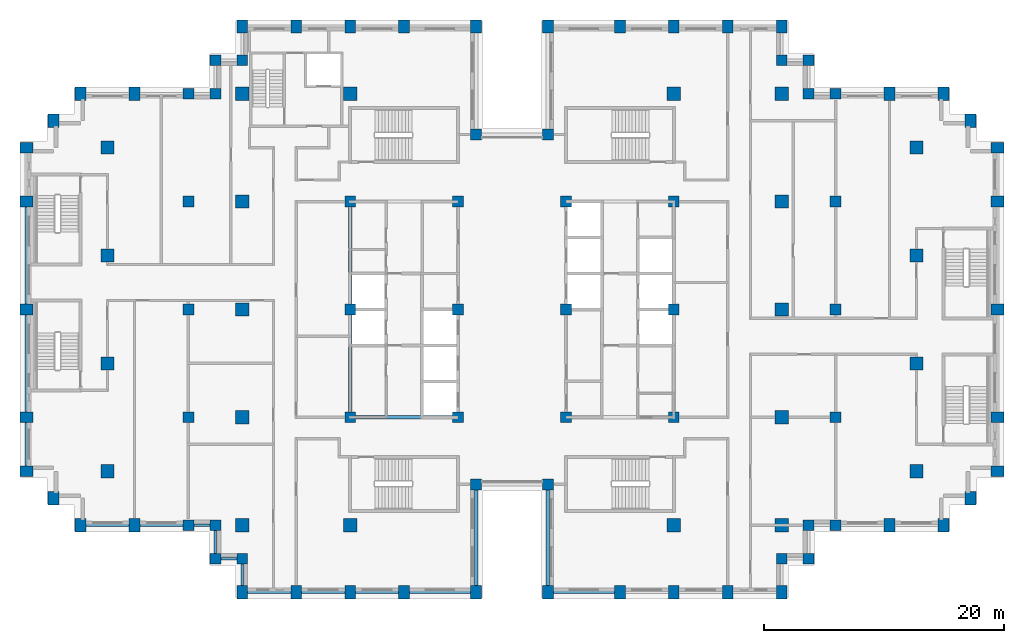
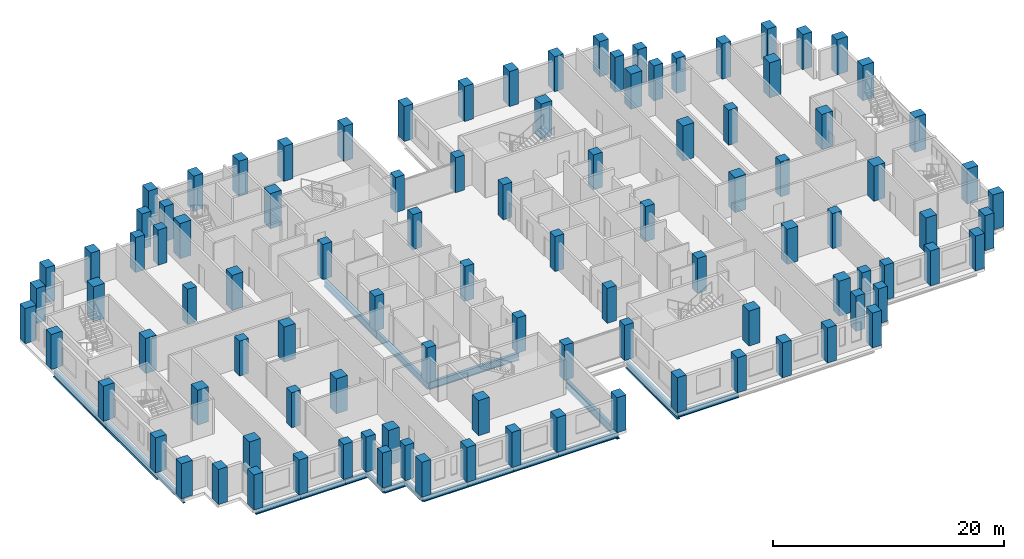
# One storey, part 1 of 16: 102 columns, 19 beams.
"""IFC4 building model written with IfcOpenShell, lengths in metres."""

from ifc_helpers import new_model, si_unit, direction, frame, origin, origin_2d, place, context, subcontext, project, spatial, rectangle, i_section, extrude, material, material_profile, profile_set, type_object, element, save


model = new_model("IFC4")

# Units and contexts
model_context = context("Model", 3, precision=1e-05, world=origin(), true_north=direction((0.0, 1.0)))
body_context = subcontext(model_context, "Body", "Model", "MODEL_VIEW")
ifc_project = project(units=[si_unit("LENGTHUNIT", "METRE"), si_unit("AREAUNIT", "SQUARE_METRE"), si_unit("VOLUMEUNIT", "CUBIC_METRE"), si_unit("PLANEANGLEUNIT", "RADIAN"), si_unit("MASSUNIT", "GRAM", prefix="KILO")], contexts=[model_context])

# Site, building, storey
site_placement = place(None, origin())
site = spatial("IfcSite", under=ifc_project, at=site_placement, CompositionType="ELEMENT")
building_placement = place(site_placement, origin())
building = spatial("IfcBuilding", under=site, at=building_placement, Name="Corbelhall Arena Tower", CompositionType="ELEMENT")
storey_placement = place(building_placement, frame((0.0, 0.0, 150.0)))
storey = spatial("IfcBuildingStorey", under=building, at=storey_placement, Name="L29", CompositionType="ELEMENT", Elevation=150.0)

# Columns
ifc_material_1 = material(Name="Concrete C80/95", Category="concrete")
ifc_material_profile_1 = material_profile(ifc_material_1, rectangle(XDim=1.10009765625, YDim=1.10009765625, at=origin_2d()))
ifc_profile_set_1 = profile_set([ifc_material_profile_1], Name="Concrete C80/95")
column_type_1 = type_object("IfcColumnType", Name="ST-COL-RC 1100x1100", PredefinedType="COLUMN", material=ifc_profile_set_1)
for number, where, z_axis, x_axis, name in (
    (1, (-33.75, 4.5, 0.0), (0.0, 0.0, 1.0), (1.0, 0.0, 0.0), "Column FIC+0450"),
    (2, (-33.75, 13.5, 0.0), (0.0, 0.0, 1.0), (1.0, 0.0, 0.0), "Column FIC+1350"),
    (3, (-33.75, -4.5, 0.0), (0.0, 0.0, 1.0), (1.0, 0.0, 0.0), "Column FIC-0450"),
    (4, (-33.75, -13.5, 0.0), (0.0, 0.0, 1.0), (1.0, 0.0, 0.0), "Column FIC-1350"),
    (5, (33.75, 4.5, 0.0), (0.0, 0.0, 1.0), (1.0, 0.0, 0.0), "Column FID+0450"),
    (6, (33.75, 13.5, 0.0), (0.0, 0.0, 1.0), (1.0, 0.0, 0.0), "Column FID+1350"),
    (7, (33.75, -4.5, 0.0), (0.0, 0.0, 1.0), (1.0, 0.0, 0.0), "Column FID-0450"),
    (8, (33.75, -13.5, 0.0), (0.0, 0.0, 1.0), (1.0, 0.0, 0.0), "Column FID-1350"),
    (9, (13.5, 18.0, 0.0), (0.0, 0.0, 1.0), (1.0, 0.0, 0.0), "Column IE13+1800"),
    (10, (13.5, -18.0, 0.0), (0.0, 0.0, 1.0), (1.0, 0.0, 0.0), "Column IE13-1800"),
    (11, (22.5, 0.0, 0.0), (0.0, 0.0, 1.0), (1.0, 0.0, 0.0), "Column IE22+0000"),
    (12, (22.5, 9.0, 0.0), (0.0, 0.0, 1.0), (1.0, 0.0, 0.0), "Column IE22+0900"),
    (13, (22.5, 18.0, 0.0), (0.0, 0.0, 1.0), (1.0, 0.0, 0.0), "Column IE22+1800"),
    (14, (22.5, -9.0, 0.0), (0.0, 0.0, 1.0), (1.0, 0.0, 0.0), "Column IE22-0900"),
    (15, (22.5, -18.0, 0.0), (0.0, 0.0, 1.0), (1.0, 0.0, 0.0), "Column IE22-1800"),
    (16, (-13.5, 18.0, 0.0), (0.0, 0.0, 1.0), (1.0, 0.0, 0.0), "Column IW13+1800"),
    (17, (-13.5, -18.0, 0.0), (0.0, 0.0, 1.0), (1.0, 0.0, 0.0), "Column IW13-1800"),
    (18, (-22.5, 0.0, 0.0), (0.0, 0.0, 1.0), (1.0, 0.0, 0.0), "Column IW22+0000"),
    (19, (-22.5, 9.0, 0.0), (0.0, 0.0, 1.0), (1.0, 0.0, 0.0), "Column IW22+0900"),
    (20, (-22.5, 18.0, 0.0), (0.0, 0.0, 1.0), (1.0, 0.0, 0.0), "Column IW22+1800"),
    (21, (-22.5, -9.0, 0.0), (0.0, 0.0, 1.0), (1.0, 0.0, 0.0), "Column IW22-0900"),
    (22, (-22.5, -18.0, 0.0), (0.0, 0.0, 1.0), (1.0, 0.0, 0.0), "Column IW22-1800"),
):
    element("IfcColumn", number, at=place(storey_placement, frame(where, z_axis=z_axis, x_axis=x_axis)), inside=storey, type_object=column_type_1, Name=name, PredefinedType="COLUMN", context=body_context, shape_type="SweptSolid", body=[
        extrude(rectangle(XDim=1.10009765625, YDim=1.10009765625, at=origin_2d()), origin(), (0.0, 0.0, 1.0), 3.699951171875),
    ])
ifc_material_profile_2 = material_profile(ifc_material_1, rectangle(XDim=0.89990234375, YDim=1.10009765625, at=origin_2d()))
ifc_profile_set_2 = profile_set([ifc_material_profile_2], Name="Concrete C80/95")
column_type_2 = type_object("IfcColumnType", Name="ST-COL-RC 900x1100", PredefinedType="COLUMN", material=ifc_profile_set_2)
for number, where, z_axis, x_axis, name in (
    (23, (-40.5, 0.0, 0.0), (0.0, 0.0, 1.0), (0.0, 1.0, 0.0), "Column FC+0000"),
    (24, (-40.5, 9.0, 0.0), (0.0, 0.0, 1.0), (0.0, 1.0, 0.0), "Column FC+0900"),
    (25, (-40.5, 13.5, 0.0), (0.0, 0.0, 1.0), (0.0, 1.0, 0.0), "Column FC+1350"),
    (26, (-40.5, -9.0, 0.0), (0.0, 0.0, 1.0), (0.0, 1.0, 0.0), "Column FC-0900"),
    (27, (-40.5, -13.5, 0.0), (0.0, 0.0, 1.0), (0.0, 1.0, 0.0), "Column FC-1350"),
    (28, (-38.25, 15.75, 0.0), (0.0, 0.0, 1.0), (1.0, 0.0, 0.0), "Column FCCN"),
    (29, (-38.25, -15.75, 0.0), (0.0, 0.0, 1.0), (1.0, 0.0, 0.0), "Column FCCS"),
    (30, (-31.5, 18.0, 0.0), (0.0, 0.0, 1.0), (1.0, 0.0, 0.0), "Column FCN3150"),
    (31, (-36.0, 18.0, 0.0), (0.0, 0.0, 1.0), (1.0, 0.0, 0.0), "Column FCN3600"),
    (32, (-31.5, -18.0, 0.0), (0.0, 0.0, 1.0), (1.0, 0.0, 0.0), "Column FCS3150"),
    (33, (-36.0, -18.0, 0.0), (0.0, 0.0, 1.0), (1.0, 0.0, 0.0), "Column FCS3600"),
    (34, (40.5, 0.0, 0.0), (0.0, 0.0, 1.0), (0.0, 1.0, 0.0), "Column FD+0000"),
    (35, (40.5, 9.0, 0.0), (0.0, 0.0, 1.0), (0.0, 1.0, 0.0), "Column FD+0900"),
    (36, (40.5, 13.5, 0.0), (0.0, 0.0, 1.0), (0.0, 1.0, 0.0), "Column FD+1350"),
    (37, (40.5, -9.0, 0.0), (0.0, 0.0, 1.0), (0.0, 1.0, 0.0), "Column FD-0900"),
    (38, (40.5, -13.5, 0.0), (0.0, 0.0, 1.0), (0.0, 1.0, 0.0), "Column FD-1350"),
    (39, (38.25, 15.75, 0.0), (0.0, 0.0, 1.0), (1.0, 0.0, 0.0), "Column FDCN"),
    (40, (38.25, -15.75, 0.0), (0.0, 0.0, 1.0), (1.0, 0.0, 0.0), "Column FDCS"),
    (41, (31.5, 18.0, 0.0), (0.0, 0.0, 1.0), (1.0, 0.0, 0.0), "Column FDN3150"),
    (42, (36.0, 18.0, 0.0), (0.0, 0.0, 1.0), (1.0, 0.0, 0.0), "Column FDN3600"),
    (43, (31.5, -18.0, 0.0), (0.0, 0.0, 1.0), (1.0, 0.0, 0.0), "Column FDS3150"),
    (44, (36.0, -18.0, 0.0), (0.0, 0.0, 1.0), (1.0, 0.0, 0.0), "Column FDS3600"),
    (45, (3.0, 23.60009765625, 0.0), (0.0, 0.0, 1.0), (1.0, 0.0, 0.0), "Column PNE0300"),
    (46, (9.0, 23.60009765625, 0.0), (0.0, 0.0, 1.0), (1.0, 0.0, 0.0), "Column PNE0900"),
    (47, (13.5, 23.60009765625, 0.0), (0.0, 0.0, 1.0), (1.0, 0.0, 0.0), "Column PNE1350"),
    (48, (18.0, 23.60009765625, 0.0), (0.0, 0.0, 1.0), (1.0, 0.0, 0.0), "Column PNE1800"),
    (49, (22.5, 23.60009765625, 0.0), (0.0, 0.0, 1.0), (1.0, 0.0, 0.0), "Column PNE2250"),
    (50, (-3.0, 23.60009765625, 0.0), (0.0, 0.0, 1.0), (1.0, 0.0, 0.0), "Column PNW0300"),
    (51, (-9.0, 23.60009765625, 0.0), (0.0, 0.0, 1.0), (1.0, 0.0, 0.0), "Column PNW0900"),
    (52, (-13.5, 23.60009765625, 0.0), (0.0, 0.0, 1.0), (1.0, 0.0, 0.0), "Column PNW1350"),
    (53, (-18.0, 23.60009765625, 0.0), (0.0, 0.0, 1.0), (1.0, 0.0, 0.0), "Column PNW1800"),
    (54, (-22.5, 23.60009765625, 0.0), (0.0, 0.0, 1.0), (1.0, 0.0, 0.0), "Column PNW2250"),
    (55, (3.0, -23.60009765625, 0.0), (0.0, 0.0, 1.0), (1.0, 0.0, 0.0), "Column PSE0300"),
    (56, (9.0, -23.60009765625, 0.0), (0.0, 0.0, 1.0), (1.0, 0.0, 0.0), "Column PSE0900"),
    (57, (13.5, -23.60009765625, 0.0), (0.0, 0.0, 1.0), (1.0, 0.0, 0.0), "Column PSE1350"),
    (58, (18.0, -23.60009765625, 0.0), (0.0, 0.0, 1.0), (1.0, 0.0, 0.0), "Column PSE1800"),
    (59, (22.5, -23.60009765625, 0.0), (0.0, 0.0, 1.0), (1.0, 0.0, 0.0), "Column PSE2250"),
    (60, (-3.0, -23.60009765625, 0.0), (0.0, 0.0, 1.0), (1.0, 0.0, 0.0), "Column PSW0300"),
    (61, (-9.0, -23.60009765625, 0.0), (0.0, 0.0, 1.0), (1.0, 0.0, 0.0), "Column PSW0900"),
    (62, (-13.5, -23.60009765625, 0.0), (0.0, 0.0, 1.0), (1.0, 0.0, 0.0), "Column PSW1350"),
    (63, (-18.0, -23.60009765625, 0.0), (0.0, 0.0, 1.0), (1.0, 0.0, 0.0), "Column PSW1800"),
    (64, (-22.5, -23.60009765625, 0.0), (0.0, 0.0, 1.0), (1.0, 0.0, 0.0), "Column PSW2250"),
):
    element("IfcColumn", number, at=place(storey_placement, frame(where, z_axis=z_axis, x_axis=x_axis)), inside=storey, type_object=column_type_2, Name=name, PredefinedType="COLUMN", context=body_context, shape_type="SweptSolid", body=[
        extrude(rectangle(XDim=0.89990234375, YDim=1.10009765625, at=origin_2d()), origin(), (0.0, 0.0, 1.0), 3.699951171875),
    ])
ifc_material_profile_3 = material_profile(ifc_material_1, rectangle(XDim=0.89990234375, YDim=0.89990234375, at=origin_2d()))
ifc_profile_set_3 = profile_set([ifc_material_profile_3], Name="Concrete C80/95")
column_type_3 = type_object("IfcColumnType", Name="ST-COL-RC 900x900", PredefinedType="COLUMN", material=ifc_profile_set_3)
for number, where, z_axis, x_axis, name in (
    (65, (4.5, 0.0, 0.0), (0.0, 0.0, 1.0), (1.0, 0.0, 0.0), "Column KE+0450+0000"),
    (66, (4.5, 9.0, 0.0), (0.0, 0.0, 1.0), (1.0, 0.0, 0.0), "Column KE+0450+0900"),
    (67, (4.5, -9.0, 0.0), (0.0, 0.0, 1.0), (1.0, 0.0, 0.0), "Column KE+0450-0900"),
    (68, (13.5, 0.0, 0.0), (0.0, 0.0, 1.0), (1.0, 0.0, 0.0), "Column KE+1350+0000"),
    (69, (13.5, 9.0, 0.0), (0.0, 0.0, 1.0), (1.0, 0.0, 0.0), "Column KE+1350+0900"),
    (70, (13.5, -9.0, 0.0), (0.0, 0.0, 1.0), (1.0, 0.0, 0.0), "Column KE+1350-0900"),
    (71, (-4.5, 0.0, 0.0), (0.0, 0.0, 1.0), (1.0, 0.0, 0.0), "Column KW-0450+0000"),
    (72, (-4.5, 9.0, 0.0), (0.0, 0.0, 1.0), (1.0, 0.0, 0.0), "Column KW-0450+0900"),
    (73, (-4.5, -9.0, 0.0), (0.0, 0.0, 1.0), (1.0, 0.0, 0.0), "Column KW-0450-0900"),
    (74, (-13.5, 0.0, 0.0), (0.0, 0.0, 1.0), (1.0, 0.0, 0.0), "Column KW-1350+0000"),
    (75, (-13.5, 9.0, 0.0), (0.0, 0.0, 1.0), (1.0, 0.0, 0.0), "Column KW-1350+0900"),
    (76, (-13.5, -9.0, 0.0), (0.0, 0.0, 1.0), (1.0, 0.0, 0.0), "Column KW-1350-0900"),
    (77, (27.0, 0.0, 0.0), (0.0, 0.0, 1.0), (1.0, 0.0, 0.0), "Column PE+0000"),
    (78, (27.0, 9.0, 0.0), (0.0, 0.0, 1.0), (1.0, 0.0, 0.0), "Column PE+0900"),
    (79, (27.0, 18.0, 0.0), (0.0, 0.0, 1.0), (1.0, 0.0, 0.0), "Column PE+1800"),
    (80, (27.0, -9.0, 0.0), (0.0, 0.0, 1.0), (1.0, 0.0, 0.0), "Column PE-0900"),
    (81, (27.0, -18.0, 0.0), (0.0, 0.0, 1.0), (1.0, 0.0, 0.0), "Column PE-1800"),
    (82, (-27.0, 0.0, 0.0), (0.0, 0.0, 1.0), (1.0, 0.0, 0.0), "Column PW+0000"),
    (83, (-27.0, 9.0, 0.0), (0.0, 0.0, 1.0), (1.0, 0.0, 0.0), "Column PW+0900"),
    (84, (-27.0, 18.0, 0.0), (0.0, 0.0, 1.0), (1.0, 0.0, 0.0), "Column PW+1800"),
    (85, (-27.0, -9.0, 0.0), (0.0, 0.0, 1.0), (1.0, 0.0, 0.0), "Column PW-0900"),
    (86, (-27.0, -18.0, 0.0), (0.0, 0.0, 1.0), (1.0, 0.0, 0.0), "Column PW-1800"),
    (87, (3.0, 14.60009765625, 0.0), (0.0, 0.0, 1.0), (1.0, 0.0, 0.0), "Column SLNE2"),
    (88, (-3.0, 14.60009765625, 0.0), (0.0, 0.0, 1.0), (1.0, 0.0, 0.0), "Column SLNW2"),
    (89, (3.0, -14.60009765625, 0.0), (0.0, 0.0, 1.0), (1.0, 0.0, 0.0), "Column SLSE2"),
    (90, (-3.0, -14.60009765625, 0.0), (0.0, 0.0, 1.0), (1.0, 0.0, 0.0), "Column SLSW2"),
    (91, (22.5, 20.800048828125, 0.0), (0.0, 0.0, 1.0), (1.0, 0.0, 0.0), "Column XNE1"),
    (92, (24.75, 20.800048828125, 0.0), (0.0, 0.0, 1.0), (1.0, 0.0, 0.0), "Column XNE2"),
    (93, (24.75, 18.0, 0.0), (0.0, 0.0, 1.0), (1.0, 0.0, 0.0), "Column XNE3"),
    (94, (-22.5, 20.800048828125, 0.0), (0.0, 0.0, 1.0), (1.0, 0.0, 0.0), "Column XNW1"),
    (95, (-24.75, 20.800048828125, 0.0), (0.0, 0.0, 1.0), (1.0, 0.0, 0.0), "Column XNW2"),
    (96, (-24.75, 18.0, 0.0), (0.0, 0.0, 1.0), (1.0, 0.0, 0.0), "Column XNW3"),
    (97, (22.5, -20.800048828125, 0.0), (0.0, 0.0, 1.0), (1.0, 0.0, 0.0), "Column XSE1"),
    (98, (24.75, -20.800048828125, 0.0), (0.0, 0.0, 1.0), (1.0, 0.0, 0.0), "Column XSE2"),
    (99, (24.75, -18.0, 0.0), (0.0, 0.0, 1.0), (1.0, 0.0, 0.0), "Column XSE3"),
    (100, (-22.5, -20.800048828125, 0.0), (0.0, 0.0, 1.0), (1.0, 0.0, 0.0), "Column XSW1"),
    (101, (-24.75, -20.800048828125, 0.0), (0.0, 0.0, 1.0), (1.0, 0.0, 0.0), "Column XSW2"),
    (102, (-24.75, -18.0, 0.0), (0.0, 0.0, 1.0), (1.0, 0.0, 0.0), "Column XSW3"),
):
    element("IfcColumn", number, at=place(storey_placement, frame(where, z_axis=z_axis, x_axis=x_axis)), inside=storey, type_object=column_type_3, Name=name, PredefinedType="COLUMN", context=body_context, shape_type="SweptSolid", body=[
        extrude(rectangle(XDim=0.89990234375, YDim=0.89990234375, at=origin_2d()), origin(), (0.0, 0.0, 1.0), 3.699951171875),
    ])

# Beams
ifc_material_2 = material(Name="Steel ASTM A992 Gr50", Category="steel")
ifc_material_profile_4 = material_profile(ifc_material_2, i_section(OverallWidth=0.2666015625, OverallDepth=0.761962890625, WebThickness=0.014404296875, FlangeThickness=0.021484375, at=origin_2d()))
ifc_profile_set_4 = profile_set([ifc_material_profile_4], Name="Steel ASTM A992 Gr50")
beam_type_1 = type_object("IfcBeamType", Name="ST-BEAM-W30x116", PredefinedType="BEAM", material=ifc_profile_set_4)
for number, where, z_axis, x_axis, name in (
    (103, (-13.5, -9.0, -0.680908203125), (0.0, 1.0, 0.0), (-1.0, 0.0, 0.0), "Beam CEW 1"),
    (104, (-13.5, 0.0, -0.680908203125), (0.0, 1.0, 0.0), (-1.0, 0.0, 0.0), "Beam CEW 2"),
    (105, (-13.5, -9.0, -0.680908203125), (1.0, 0.0, 0.0), (0.0, 1.0, 0.0), "Beam CEW 5"),
):
    element("IfcBeam", number, at=place(storey_placement, frame(where, z_axis=z_axis, x_axis=x_axis)), inside=storey, type_object=beam_type_1, Name=name, PredefinedType="BEAM", context=body_context, shape_type="SweptSolid", body=[
        extrude(i_section(OverallWidth=0.2666015625, OverallDepth=0.761962890625, WebThickness=0.014404296875, FlangeThickness=0.021484375, at=origin_2d()), origin(), (0.0, 0.0, 1.0), 9.0),
    ])
ifc_material_profile_5 = material_profile(ifc_material_2, i_section(OverallWidth=0.22900390625, OverallDepth=0.612060546875, WebThickness=0.011962890625, FlangeThickness=0.01953125, at=origin_2d()))
ifc_profile_set_5 = profile_set([ifc_material_profile_5], Name="Steel ASTM A992 Gr50")
beam_type_2 = type_object("IfcBeamType", Name="ST-SPANDREL-W24x84", PredefinedType="SPANDREL", material=ifc_profile_set_5)
for number, where, z_axis, x_axis, name in (
    (106, (-40.5, -13.5, -0.60595703125), (0.0, 1.0, 0.0), (-1.0, 0.0, 0.0), "Beam SP 4"),
    (107, (-31.5, -18.0, -0.60595703125), (-1.0, 0.0, 0.0), (0.0, -1.0, 0.0), "Beam SP 7"),
):
    element("IfcBeam", number, at=place(storey_placement, frame(where, z_axis=z_axis, x_axis=x_axis)), inside=storey, type_object=beam_type_2, Name=name, PredefinedType="SPANDREL", context=body_context, shape_type="SweptSolid", body=[
        extrude(i_section(OverallWidth=0.22900390625, OverallDepth=0.612060546875, WebThickness=0.011962890625, FlangeThickness=0.01953125, at=origin_2d()), origin(), (0.0, 0.0, 1.0), 4.5),
    ])
for number, where, z_axis, x_axis, name in (
    (108, (9.0, -23.60009765625, -0.60595703125), (-1.0, 0.0, 0.0), (0.0, -1.0, 0.0), "Beam SP 28"),
    (109, (-3.0, -23.60009765625, -0.60595703125), (-1.0, 0.0, 0.0), (0.0, -1.0, 0.0), "Beam SP 32"),
):
    element("IfcBeam", number, at=place(storey_placement, frame(where, z_axis=z_axis, x_axis=x_axis)), inside=storey, type_object=beam_type_2, Name=name, PredefinedType="SPANDREL", context=body_context, shape_type="SweptSolid", body=[
        extrude(i_section(OverallWidth=0.22900390625, OverallDepth=0.612060546875, WebThickness=0.011962890625, FlangeThickness=0.01953125, at=origin_2d()), origin(), (0.0, 0.0, 1.0), 6.0),
    ])
for number, where, z_axis, x_axis, name in (
    (110, (-9.0, -23.60009765625, -0.60595703125), (-1.0, 0.0, 0.0), (0.0, -1.0, 0.0), "Beam SP 33"),
    (111, (-13.5, -23.60009765625, -0.60595703125), (-1.0, 0.0, 0.0), (0.0, -1.0, 0.0), "Beam SP 34"),
    (112, (-18.0, -23.60009765625, -0.60595703125), (-1.0, 0.0, 0.0), (0.0, -1.0, 0.0), "Beam SP 35"),
):
    element("IfcBeam", number, at=place(storey_placement, frame(where, z_axis=z_axis, x_axis=x_axis)), inside=storey, type_object=beam_type_2, Name=name, PredefinedType="SPANDREL", context=body_context, shape_type="SweptSolid", body=[
        extrude(i_section(OverallWidth=0.22900390625, OverallDepth=0.612060546875, WebThickness=0.011962890625, FlangeThickness=0.01953125, at=origin_2d()), origin(), (0.0, 0.0, 1.0), 4.5),
    ])
beam_1_placement = place(storey_placement, frame((-22.5, -23.60009765625, -0.60595703125), z_axis=(0.0, 1.0, 0.0), x_axis=(-1.0, 0.0, 0.0)))
element("IfcBeam", 113, at=beam_1_placement, inside=storey, type_object=beam_type_2, Name="Beam SP 36", PredefinedType="SPANDREL", context=body_context, shape_type="SweptSolid", body=[
    extrude(i_section(OverallWidth=0.22900390625, OverallDepth=0.612060546875, WebThickness=0.011962890625, FlangeThickness=0.01953125, at=origin_2d()), origin(), (0.0, 0.0, 1.0), 2.800048828125),
])
beam_2_placement = place(storey_placement, frame((-27.0, -18.0, -0.60595703125), z_axis=(-1.0, 0.0, 0.0), x_axis=(0.0, -1.0, 0.0)))
element("IfcBeam", 114, at=beam_2_placement, inside=storey, type_object=beam_type_2, Name="Beam SP 38", PredefinedType="SPANDREL", context=body_context, shape_type="SweptSolid", body=[
    extrude(i_section(OverallWidth=0.22900390625, OverallDepth=0.612060546875, WebThickness=0.011962890625, FlangeThickness=0.01953125, at=origin_2d()), origin(), (0.0, 0.0, 1.0), 4.5),
])
beam_3_placement = place(storey_placement, frame((-22.5, -20.800048828125, -0.60595703125), z_axis=(-1.0, 0.0, 0.0), x_axis=(0.0, -1.0, 0.0)))
element("IfcBeam", 115, at=beam_3_placement, inside=storey, type_object=beam_type_2, Name="Beam SP 52", PredefinedType="SPANDREL", context=body_context, shape_type="SweptSolid", body=[
    extrude(i_section(OverallWidth=0.22900390625, OverallDepth=0.612060546875, WebThickness=0.011962890625, FlangeThickness=0.01953125, at=origin_2d()), origin(), (0.0, 0.0, 1.0), 2.25),
])
beam_4_placement = place(storey_placement, frame((-24.75, -20.800048828125, -0.60595703125), z_axis=(0.0, 1.0, 0.0), x_axis=(-1.0, 0.0, 0.0)))
element("IfcBeam", 116, at=beam_4_placement, inside=storey, type_object=beam_type_2, Name="Beam SP 53", PredefinedType="SPANDREL", context=body_context, shape_type="SweptSolid", body=[
    extrude(i_section(OverallWidth=0.22900390625, OverallDepth=0.612060546875, WebThickness=0.011962890625, FlangeThickness=0.01953125, at=origin_2d()), origin(), (0.0, 0.0, 1.0), 2.800048828125),
])
beam_5_placement = place(storey_placement, frame((-24.75, -18.0, -0.60595703125), z_axis=(-1.0, 0.0, 0.0), x_axis=(0.0, -1.0, 0.0)))
element("IfcBeam", 117, at=beam_5_placement, inside=storey, type_object=beam_type_2, Name="Beam SP 54", PredefinedType="SPANDREL", context=body_context, shape_type="SweptSolid", body=[
    extrude(i_section(OverallWidth=0.22900390625, OverallDepth=0.612060546875, WebThickness=0.011962890625, FlangeThickness=0.01953125, at=origin_2d()), origin(), (0.0, 0.0, 1.0), 2.25),
])
ifc_material_profile_6 = material_profile(ifc_material_2, i_section(OverallWidth=0.2919921875, OverallDepth=0.845703125, WebThickness=0.015380859375, FlangeThickness=0.0244140625, at=origin_2d()))
ifc_profile_set_6 = profile_set([ifc_material_profile_6], Name="Steel ASTM A992 Gr50")
beam_type_3 = type_object("IfcBeamType", Name="ST-SPANDREL-W33x141", PredefinedType="SPANDREL", material=ifc_profile_set_6)
for number, where, z_axis, x_axis, name in (
    (118, (-40.5, 0.0, -0.722900390625), (0.0, 1.0, 0.0), (-1.0, 0.0, 0.0), "Beam SP 1"),
    (119, (-40.5, -9.0, -0.722900390625), (0.0, 1.0, 0.0), (-1.0, 0.0, 0.0), "Beam SP 3"),
    (120, (3.0, -23.60009765625, -0.722900390625), (0.0, 1.0, 0.0), (-1.0, 0.0, 0.0), "Beam SP 27"),
    (121, (-3.0, -14.60009765625, -0.722900390625), (0.0, -1.0, 0.0), (1.0, 0.0, 0.0), "Beam SP 42"),
):
    element("IfcBeam", number, at=place(storey_placement, frame(where, z_axis=z_axis, x_axis=x_axis)), inside=storey, type_object=beam_type_3, Name=name, PredefinedType="SPANDREL", context=body_context, shape_type="SweptSolid", body=[
        extrude(i_section(OverallWidth=0.2919921875, OverallDepth=0.845703125, WebThickness=0.015380859375, FlangeThickness=0.0244140625, at=origin_2d()), origin(), (0.0, 0.0, 1.0), 9.0),
    ])

save(model, "model.ifc")
